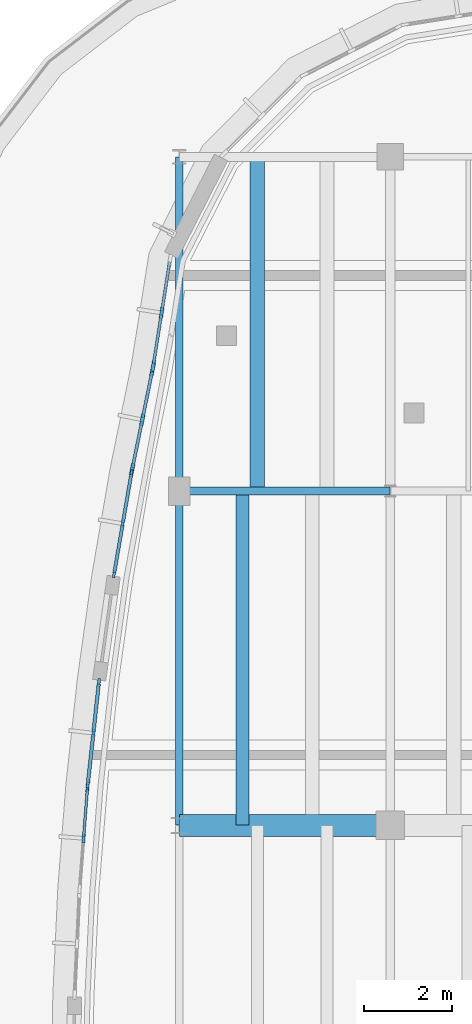
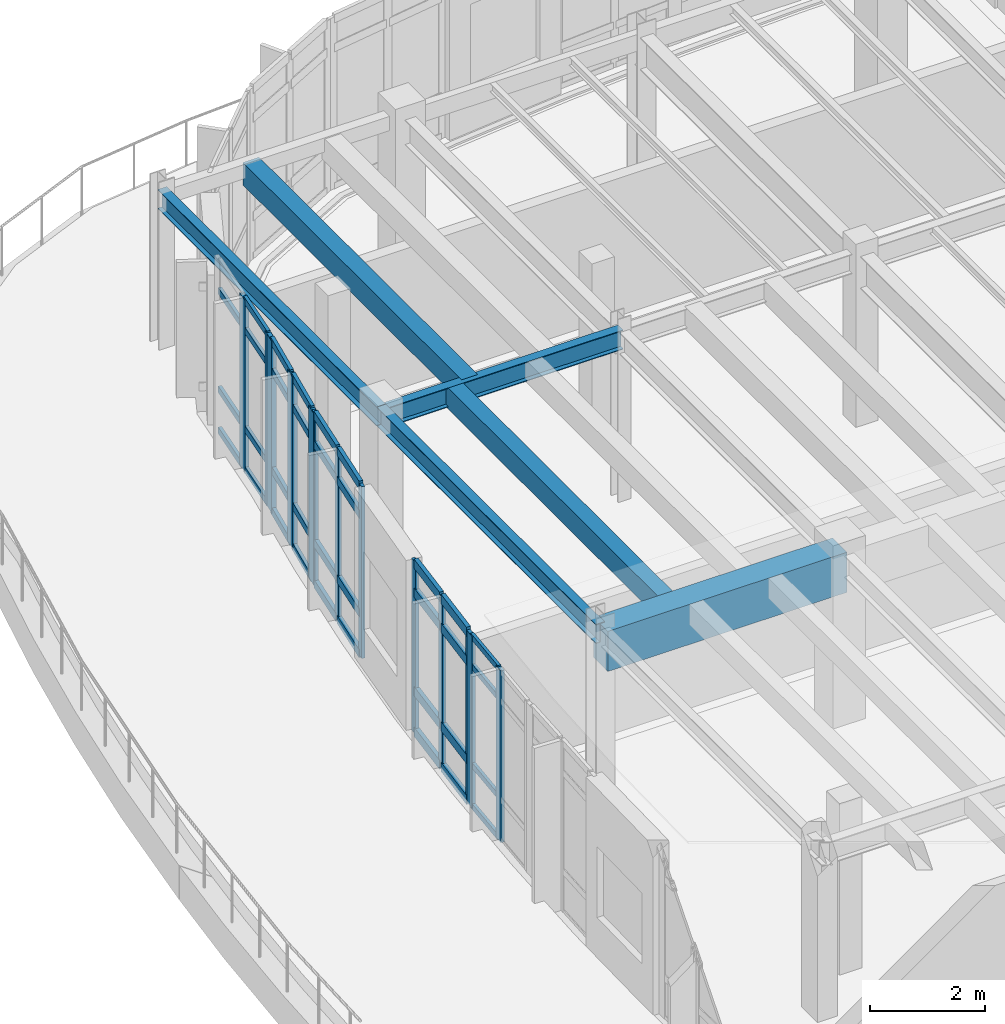
# One storey, part 47 of 111: 48 members, 6 beams, 5 elements without a shape of their own.
"""IFC4 building model written with IfcOpenShell, lengths in metres."""

from ifc_helpers import new_model, si_unit, direction, frame, origin, origin_2d, place, context, subcontext, project, spatial, rectangle, i_section, extrude, material, material_profile, profile_set, type_object, element, aggregate, save


model = new_model("IFC4")

# Units and contexts
model_context = context("Model", 3, precision=1e-05, world=origin(), true_north=direction((0.0, 1.0)))
body_context = subcontext(model_context, "Body", "Model", "MODEL_VIEW")
ifc_project = project(units=[si_unit("LENGTHUNIT", "METRE"), si_unit("AREAUNIT", "SQUARE_METRE"), si_unit("VOLUMEUNIT", "CUBIC_METRE"), si_unit("PLANEANGLEUNIT", "RADIAN"), si_unit("MASSUNIT", "GRAM", prefix="KILO")], contexts=[model_context])

# Site, building, storey
site_placement = place(None, origin())
site = spatial("IfcSite", under=ifc_project, at=site_placement, CompositionType="ELEMENT")
building_placement = place(site_placement, origin())
building = spatial("IfcBuilding", under=site, at=building_placement, Name="Corveleigh Park Community Centre", CompositionType="ELEMENT")
storey_placement = place(building_placement, frame((0.0, 0.0, 4.800048828125)))
storey = spatial("IfcBuildingStorey", under=building, at=storey_placement, Name="L01", CompositionType="ELEMENT", Elevation=4.800048828125)

# Beams
ifc_material_1 = material(Name="Concrete C40/50", Category="concrete")
ifc_material_profile_1 = material_profile(ifc_material_1, rectangle(XDim=0.300048828125, YDim=0.449951171875, at=origin_2d()), Name="RC-300x450", Category="concrete")
ifc_profile_set_1 = profile_set([ifc_material_profile_1], Name="Concrete C40/50")
beam_type_1 = type_object("IfcBeamType", Name="BM-RC-300x450", PredefinedType="JOIST", material=ifc_profile_set_1)
beam_1_placement = place(storey_placement, frame((136.0400390625, 89.0048828125, 3.386962890625), z_axis=(0.0, 1.0, 0.0), x_axis=(-1.0, 0.0, 0.0)))
element("IfcBeam", 1, at=beam_1_placement, inside=storey, type_object=beam_type_1, Name="Secondary floor joist", PredefinedType="JOIST", context=body_context, shape_type="SweptSolid", body=[
    extrude(rectangle(XDim=0.300048828125, YDim=0.449951171875, at=origin_2d()), origin(), (0.0, 0.0, 1.0), 7.590087890625),
])
ifc_material_profile_2 = material_profile(ifc_material_1, rectangle(XDim=0.324951171875, YDim=0.47509765625, at=origin_2d()), Name="RC-325x475", Category="concrete")
ifc_profile_set_2 = profile_set([ifc_material_profile_2], Name="Concrete C40/50")
beam_type_2 = type_object("IfcBeamType", Name="BM-RC-325x475", PredefinedType="JOIST", material=ifc_profile_set_2)
beam_2_placement = place(storey_placement, frame((136.3759765625, 96.60498046875, 3.37451171875), z_axis=(0.0, 1.0, 0.0), x_axis=(-1.0, 0.0, 0.0)))
element("IfcBeam", 2, at=beam_2_placement, inside=storey, type_object=beam_type_2, Name="Secondary floor joist", PredefinedType="JOIST", context=body_context, shape_type="SweptSolid", body=[
    extrude(rectangle(XDim=0.324951171875, YDim=0.47509765625, at=origin_2d()), origin(), (0.0, 0.0, 1.0), 7.590087890625),
])
ifc_material_profile_3 = material_profile(ifc_material_1, rectangle(XDim=0.5, YDim=0.85009765625, at=origin_2d()), Name="RC-500x850", Category="concrete")
ifc_profile_set_3 = profile_set([ifc_material_profile_3], Name="Concrete C40/50")
beam_type_3 = type_object("IfcBeamType", Name="BM-RC-500x850", PredefinedType="BEAM", material=ifc_profile_set_3)
beam_3_placement = place(storey_placement, frame((134.60498046875, 89.0, 3.18701171875), z_axis=(1.0, 0.0, 0.0), x_axis=(0.0, 1.0, 0.0)))
element("IfcBeam", 3, at=beam_3_placement, inside=storey, type_object=beam_type_3, Name="V4 Girder X", PredefinedType="BEAM", context=body_context, shape_type="SweptSolid", body=[
    extrude(rectangle(XDim=0.5, YDim=0.85009765625, at=origin_2d()), origin(), (0.0, 0.0, 1.0), 4.7900390625),
])
ifc_material_2 = material(Name="Steel S355", Category="steel")
ifc_material_profile_4 = material_profile(ifc_material_2, i_section(OverallWidth=0.177978515625, OverallDepth=0.406494140625, WebThickness=0.0078125, FlangeThickness=0.0126953125, at=origin_2d()), Name="UKB 406x178x60", Category="steel")
ifc_profile_set_4 = profile_set([ifc_material_profile_4], Name="Steel S355")
beam_type_4 = type_object("IfcBeamType", Name="BM-STL-UKB406x60", PredefinedType="BEAM", material=ifc_profile_set_4)
beam_4_placement = place(storey_placement, frame((134.60009765625, 89.0048828125, 3.433837890625), z_axis=(0.0, 1.0, 0.0), x_axis=(-1.0, 0.0, 0.0)))
element("IfcBeam", 4, at=beam_4_placement, inside=storey, type_object=beam_type_4, Name="V4 Girder Y", PredefinedType="BEAM", context=body_context, shape_type="SweptSolid", body=[
    extrude(i_section(OverallWidth=0.177978515625, OverallDepth=0.406494140625, WebThickness=0.0078125, FlangeThickness=0.0126953125, at=origin_2d()), origin(), (0.0, 0.0, 1.0), 7.590087890625),
])
ifc_material_profile_5 = material_profile(ifc_material_2, i_section(OverallWidth=0.1787109375, OverallDepth=0.409423828125, WebThickness=0.0087890625, FlangeThickness=0.014404296875, at=origin_2d()), Name="UKB 406x178x67", Category="steel")
ifc_profile_set_5 = profile_set([ifc_material_profile_5], Name="Steel S355")
beam_type_5 = type_object("IfcBeamType", Name="BM-STL-UKB406x67", PredefinedType="BEAM", material=ifc_profile_set_5)
beam_5_placement = place(storey_placement, frame((134.60498046875, 96.60009765625, 3.4072265625), z_axis=(1.0, 0.0, 0.0), x_axis=(0.0, 1.0, 0.0)))
element("IfcBeam", 5, at=beam_5_placement, inside=storey, type_object=beam_type_5, Name="V4 Girder X", PredefinedType="BEAM", context=body_context, shape_type="SweptSolid", body=[
    extrude(i_section(OverallWidth=0.1787109375, OverallDepth=0.409423828125, WebThickness=0.0087890625, FlangeThickness=0.014404296875, at=origin_2d()), origin(), (0.0, 0.0, 1.0), 4.7900390625),
])
beam_6_placement = place(storey_placement, frame((134.60009765625, 96.60498046875, 3.432373046875), z_axis=(0.0, 1.0, 0.0), x_axis=(-1.0, 0.0, 0.0)))
element("IfcBeam", 6, at=beam_6_placement, inside=storey, type_object=beam_type_5, Name="V4 Girder Y", PredefinedType="BEAM", context=body_context, shape_type="SweptSolid", body=[
    extrude(i_section(OverallWidth=0.1787109375, OverallDepth=0.409423828125, WebThickness=0.0087890625, FlangeThickness=0.014404296875, at=origin_2d()), origin(), (0.0, 0.0, 1.0), 7.590087890625),
])

# Curtain wall, members
ifc_material_3 = material(Name="Anodised aluminium 6063-T6", Category="aluminium")
curtain_wall_type = type_object("IfcCurtainWallType", Name="CW-SYS-V4-L01", PredefinedType="NOTDEFINED", material=ifc_material_3)
curtain_wall_1_placement = place(storey_placement, origin())
curtain_wall_1 = element("IfcCurtainWall", 7, at=curtain_wall_1_placement, inside=storey, type_object=curtain_wall_type, Name="V4 L01 Curtain Wall 289", PredefinedType="NOTDEFINED")
ifc_material_profile_6 = material_profile(ifc_material_3, rectangle(XDim=0.06005859375, YDim=0.159912109375, at=origin_2d()), Name="ALU-M60x160", Category="aluminium")
ifc_profile_set_6 = profile_set([ifc_material_profile_6], Name="Anodised aluminium 6063-T6")
member_type_1 = type_object("IfcMemberType", Name="CWM-60x160", PredefinedType="MULLION", material=ifc_profile_set_6)
member_1_placement = place(storey_placement, frame((133.1181640625, 94.713623046875, 0.0), z_axis=(0.0, 0.0, 1.0), x_axis=(-0.985554357724, 0.16935940473, 0.0)))
member_1 = element("IfcMember", 8, at=member_1_placement, type_object=member_type_1, Name="CW08 mullion 1", PredefinedType="MULLION", context=body_context, shape_type="SweptSolid", body=[
    extrude(rectangle(XDim=0.06005859375, YDim=0.159912109375, at=origin_2d()), origin(), (0.0, 0.0, 1.0), 3.636962890625),
])
member_2_placement = place(storey_placement, frame((133.31494140625, 95.859619140625, 0.0), z_axis=(0.0, 0.0, 1.0), x_axis=(-0.985554357724, 0.16935940473, 0.0)))
member_2 = element("IfcMember", 9, at=member_2_placement, type_object=member_type_1, Name="CW08 mullion 2", PredefinedType="MULLION", context=body_context, shape_type="SweptSolid", body=[
    extrude(rectangle(XDim=0.06005859375, YDim=0.159912109375, at=origin_2d()), origin(), (0.0, 0.0, 1.0), 3.636962890625),
])
member_3_placement = place(storey_placement, frame((133.511962890625, 97.00537109375, 0.0), z_axis=(0.0, 0.0, 1.0), x_axis=(-0.985554357724, 0.16935940473, 0.0)))
member_3 = element("IfcMember", 10, at=member_3_placement, type_object=member_type_1, Name="CW08 mullion 3", PredefinedType="MULLION", context=body_context, shape_type="SweptSolid", body=[
    extrude(rectangle(XDim=0.06005859375, YDim=0.159912109375, at=origin_2d()), origin(), (0.0, 0.0, 1.0), 3.636962890625),
])

curtain_wall_2_placement = place(storey_placement, origin())
curtain_wall_2 = element("IfcCurtainWall", 11, at=curtain_wall_2_placement, inside=storey, type_object=curtain_wall_type, Name="V4 L01 Curtain Wall 290", PredefinedType="NOTDEFINED")
ifc_material_profile_7 = material_profile(ifc_material_3, rectangle(XDim=0.06494140625, YDim=0.179931640625, at=origin_2d()), Name="ALU-M65x180", Category="aluminium")
ifc_profile_set_7 = profile_set([ifc_material_profile_7], Name="Anodised aluminium 6063-T6")
member_type_2 = type_object("IfcMemberType", Name="CWM-65x180", PredefinedType="MULLION", material=ifc_profile_set_7)
member_4_placement = place(storey_placement, frame((132.521484375, 89.9443359375, 0.0), z_axis=(0.0, 0.0, 1.0), x_axis=(-0.994136630225, 0.108131218641, 0.0)))
member_4 = element("IfcMember", 12, at=member_4_placement, type_object=member_type_2, Name="CW08 mullion 1", PredefinedType="MULLION", context=body_context, shape_type="SweptSolid", body=[
    extrude(rectangle(XDim=0.06494140625, YDim=0.179931640625, at=origin_2d()), origin(), (0.0, 0.0, 1.0), 3.636962890625),
])
member_5_placement = place(storey_placement, frame((132.64697265625, 91.097900390625, 0.0), z_axis=(0.0, 0.0, 1.0), x_axis=(-0.994136630225, 0.108131218641, 0.0)))
member_5 = element("IfcMember", 13, at=member_5_placement, type_object=member_type_2, Name="CW08 mullion 2", PredefinedType="MULLION", context=body_context, shape_type="SweptSolid", body=[
    extrude(rectangle(XDim=0.06494140625, YDim=0.179931640625, at=origin_2d()), origin(), (0.0, 0.0, 1.0), 3.636962890625),
])
member_6_placement = place(storey_placement, frame((132.7724609375, 92.251708984375, 0.0), z_axis=(0.0, 0.0, 1.0), x_axis=(-0.994136630225, 0.108131218641, 0.0)))
member_6 = element("IfcMember", 14, at=member_6_placement, type_object=member_type_2, Name="CW08 mullion 3", PredefinedType="MULLION", context=body_context, shape_type="SweptSolid", body=[
    extrude(rectangle(XDim=0.06494140625, YDim=0.179931640625, at=origin_2d()), origin(), (0.0, 0.0, 1.0), 3.636962890625),
])

curtain_wall_3_placement = place(storey_placement, origin())
curtain_wall_3 = element("IfcCurtainWall", 15, at=curtain_wall_3_placement, inside=storey, type_object=curtain_wall_type, Name="V4 L01 Curtain Wall 291", PredefinedType="NOTDEFINED")
ifc_material_profile_8 = material_profile(ifc_material_3, rectangle(XDim=0.070068359375, YDim=0.199951171875, at=origin_2d()), Name="ALU-M70x200", Category="aluminium")
ifc_profile_set_8 = profile_set([ifc_material_profile_8], Name="Anodised aluminium 6063-T6")
member_type_3 = type_object("IfcMemberType", Name="CWM-70x200", PredefinedType="MULLION", material=ifc_profile_set_8)
member_7_placement = place(storey_placement, frame((132.424072265625, 88.70458984375, 0.0), z_axis=(0.0, 0.0, 1.0), x_axis=(-0.997022350164, 0.077113119982, 0.0)))
member_7 = element("IfcMember", 16, at=member_7_placement, type_object=member_type_3, Name="CW08 mullion 2", PredefinedType="MULLION", context=body_context, shape_type="SweptSolid", body=[
    extrude(rectangle(XDim=0.070068359375, YDim=0.199951171875, at=origin_2d()), origin(), (0.0, 0.0, 1.0), 3.636962890625),
])
member_8_placement = place(storey_placement, frame((132.51318359375, 89.859130859375, 0.0), z_axis=(0.0, 0.0, 1.0), x_axis=(-0.997022350164, 0.077113119982, 0.0)))
member_8 = element("IfcMember", 17, at=member_8_placement, type_object=member_type_3, Name="CW08 mullion 3", PredefinedType="MULLION", context=body_context, shape_type="SweptSolid", body=[
    extrude(rectangle(XDim=0.070068359375, YDim=0.199951171875, at=origin_2d()), origin(), (0.0, 0.0, 1.0), 3.636962890625),
])

curtain_wall_4_placement = place(storey_placement, origin())
curtain_wall_4 = element("IfcCurtainWall", 18, at=curtain_wall_4_placement, inside=storey, type_object=curtain_wall_type, Name="V4 L01 Curtain Wall 287", PredefinedType="NOTDEFINED")
ifc_material_profile_9 = material_profile(ifc_material_3, rectangle(XDim=0.080078125, YDim=0.25, at=origin_2d()), Name="ALU-M80x250", Category="aluminium")
ifc_profile_set_9 = profile_set([ifc_material_profile_9], Name="Anodised aluminium 6063-T6")
member_type_4 = type_object("IfcMemberType", Name="CWM-80x250", PredefinedType="MULLION", material=ifc_profile_set_9)
member_9_placement = place(storey_placement, frame((134.00830078125, 99.449462890625, 0.0), z_axis=(0.0, 0.0, 1.0), x_axis=(-0.987733954743, 0.15614619639, 0.0)))
member_9 = element("IfcMember", 19, at=member_9_placement, type_object=member_type_4, Name="CW08 mullion 1", PredefinedType="MULLION", context=body_context, shape_type="SweptSolid", body=[
    extrude(rectangle(XDim=0.080078125, YDim=0.25, at=origin_2d()), origin(), (0.0, 0.0, 1.0), 3.636962890625),
])
member_10_placement = place(storey_placement, frame((134.198486328125, 100.653076171875, 0.0), z_axis=(0.0, 0.0, 1.0), x_axis=(-0.987733954743, 0.15614619639, 0.0)))
member_10 = element("IfcMember", 20, at=member_10_placement, type_object=member_type_4, Name="CW08 mullion 2", PredefinedType="MULLION", context=body_context, shape_type="SweptSolid", body=[
    extrude(rectangle(XDim=0.080078125, YDim=0.25, at=origin_2d()), origin(), (0.0, 0.0, 1.0), 3.636962890625),
])

curtain_wall_5_placement = place(storey_placement, origin())
curtain_wall_5 = element("IfcCurtainWall", 21, at=curtain_wall_5_placement, inside=storey, type_object=curtain_wall_type, Name="V4 L01 Curtain Wall 288", PredefinedType="NOTDEFINED")
ifc_material_profile_10 = material_profile(ifc_material_3, rectangle(XDim=0.0849609375, YDim=0.27490234375, at=origin_2d()), Name="ALU-M85x275", Category="aluminium")
ifc_profile_set_10 = profile_set([ifc_material_profile_10], Name="Anodised aluminium 6063-T6")
member_type_5 = type_object("IfcMemberType", Name="CWM-85x275", PredefinedType="MULLION", material=ifc_profile_set_10)
member_11_placement = place(storey_placement, frame((133.529541015625, 97.0947265625, 0.0), z_axis=(0.0, 0.0, 1.0), x_axis=(-0.979799029422, 0.19998465427, 0.0)))
member_11 = element("IfcMember", 22, at=member_11_placement, type_object=member_type_5, Name="CW08 mullion 1", PredefinedType="MULLION", context=body_context, shape_type="SweptSolid", body=[
    extrude(rectangle(XDim=0.0849609375, YDim=0.27490234375, at=origin_2d()), origin(), (0.0, 0.0, 1.0), 3.636962890625),
])
member_12_placement = place(storey_placement, frame((133.759521484375, 98.221435546875, 0.0), z_axis=(0.0, 0.0, 1.0), x_axis=(-0.979799029422, 0.19998465427, 0.0)))
member_12 = element("IfcMember", 23, at=member_12_placement, type_object=member_type_5, Name="CW08 mullion 2", PredefinedType="MULLION", context=body_context, shape_type="SweptSolid", body=[
    extrude(rectangle(XDim=0.0849609375, YDim=0.27490234375, at=origin_2d()), origin(), (0.0, 0.0, 1.0), 3.636962890625),
])
member_13_placement = place(storey_placement, frame((133.989501953125, 99.348388671875, 0.0), z_axis=(0.0, 0.0, 1.0), x_axis=(-0.979799029422, 0.19998465427, 0.0)))
member_13 = element("IfcMember", 24, at=member_13_placement, type_object=member_type_5, Name="CW08 mullion 3", PredefinedType="MULLION", context=body_context, shape_type="SweptSolid", body=[
    extrude(rectangle(XDim=0.0849609375, YDim=0.27490234375, at=origin_2d()), origin(), (0.0, 0.0, 1.0), 3.636962890625),
])

# Member
ifc_material_profile_11 = material_profile(ifc_material_3, rectangle(XDim=0.06005859375, YDim=0.1201171875, at=origin_2d()), Name="ALU-T60x120", Category="aluminium")
ifc_profile_set_11 = profile_set([ifc_material_profile_11], Name="Anodised aluminium 6063-T6")
member_type_6 = type_object("IfcMemberType", Name="CWT-60x120", PredefinedType="USERDEFINED", material=ifc_profile_set_11)
member_14_placement = place(storey_placement, frame((132.4267578125, 88.739501953125, 0.030029296875), z_axis=(0.076971062621, 0.997033327186, 0.0), x_axis=(-0.997033327186, 0.076971062621, 0.0)))
member_14 = element("IfcMember", 25, at=member_14_placement, type_object=member_type_6, Name="CW08 transom 2.1", ObjectType="TRANSOM", PredefinedType="USERDEFINED", context=body_context, shape_type="SweptSolid", body=[
    extrude(rectangle(XDim=0.06005859375, YDim=0.1201171875, at=origin_2d()), origin(), (0.0, 0.0, 1.0), 1.087890625),
])

member_15_placement = place(storey_placement, frame((132.4267578125, 88.739501953125, 0.89990234375), z_axis=(0.076971062621, 0.997033327186, 0.0), x_axis=(-0.997033327186, 0.076971062621, 0.0)))
member_15 = element("IfcMember", 26, at=member_15_placement, type_object=member_type_6, Name="CW08 transom 2.2", ObjectType="TRANSOM", PredefinedType="USERDEFINED", context=body_context, shape_type="SweptSolid", body=[
    extrude(rectangle(XDim=0.06005859375, YDim=0.1201171875, at=origin_2d()), origin(), (0.0, 0.0, 1.0), 1.087890625),
])

member_16_placement = place(storey_placement, frame((132.4267578125, 88.739501953125, 2.987060546875), z_axis=(0.076971062621, 0.997033327186, 0.0), x_axis=(-0.997033327186, 0.076971062621, 0.0)))
member_16 = element("IfcMember", 27, at=member_16_placement, type_object=member_type_6, Name="CW08 transom 2.3", ObjectType="TRANSOM", PredefinedType="USERDEFINED", context=body_context, shape_type="SweptSolid", body=[
    extrude(rectangle(XDim=0.06005859375, YDim=0.1201171875, at=origin_2d()), origin(), (0.0, 0.0, 1.0), 1.087890625),
])

member_17_placement = place(storey_placement, frame((132.4267578125, 88.739501953125, 3.60693359375), z_axis=(0.076971062621, 0.997033327186, 0.0), x_axis=(-0.997033327186, 0.076971062621, 0.0)))
member_17 = element("IfcMember", 28, at=member_17_placement, type_object=member_type_6, Name="CW08 transom 2.4", ObjectType="TRANSOM", PredefinedType="USERDEFINED", context=body_context, shape_type="SweptSolid", body=[
    extrude(rectangle(XDim=0.06005859375, YDim=0.1201171875, at=origin_2d()), origin(), (0.0, 0.0, 1.0), 1.087890625),
])

aggregate(curtain_wall_3, [member_7, member_8, member_14, member_15, member_16, member_17])

ifc_material_profile_12 = material_profile(ifc_material_3, rectangle(XDim=0.06494140625, YDim=0.139892578125, at=origin_2d()), Name="ALU-T65x140", Category="aluminium")
ifc_profile_set_12 = profile_set([ifc_material_profile_12], Name="Anodised aluminium 6063-T6")
member_type_7 = type_object("IfcMemberType", Name="CWT-65x140", PredefinedType="USERDEFINED", material=ifc_profile_set_12)
member_18_placement = place(storey_placement, frame((134.014404296875, 99.489013671875, 0.032470703125), z_axis=(0.156116740912, 0.987738610771, 0.0), x_axis=(-0.987738610771, 0.156116740912, 0.0)))
member_18 = element("IfcMember", 29, at=member_18_placement, type_object=member_type_7, Name="CW08 transom 1.1", ObjectType="TRANSOM", PredefinedType="USERDEFINED", context=body_context, shape_type="SweptSolid", body=[
    extrude(rectangle(XDim=0.06494140625, YDim=0.139892578125, at=origin_2d()), origin(), (0.0, 0.0, 1.0), 1.138427734375),
])

member_19_placement = place(storey_placement, frame((134.014404296875, 99.489013671875, 0.89990234375), z_axis=(0.156116740912, 0.987738610771, 0.0), x_axis=(-0.987738610771, 0.156116740912, 0.0)))
member_19 = element("IfcMember", 30, at=member_19_placement, type_object=member_type_7, Name="CW08 transom 1.2", ObjectType="TRANSOM", PredefinedType="USERDEFINED", context=body_context, shape_type="SweptSolid", body=[
    extrude(rectangle(XDim=0.06494140625, YDim=0.139892578125, at=origin_2d()), origin(), (0.0, 0.0, 1.0), 1.138427734375),
])

member_20_placement = place(storey_placement, frame((134.014404296875, 99.489013671875, 2.987060546875), z_axis=(0.156116740912, 0.987738610771, 0.0), x_axis=(-0.987738610771, 0.156116740912, 0.0)))
member_20 = element("IfcMember", 31, at=member_20_placement, type_object=member_type_7, Name="CW08 transom 1.3", ObjectType="TRANSOM", PredefinedType="USERDEFINED", context=body_context, shape_type="SweptSolid", body=[
    extrude(rectangle(XDim=0.06494140625, YDim=0.139892578125, at=origin_2d()), origin(), (0.0, 0.0, 1.0), 1.138427734375),
])

member_21_placement = place(storey_placement, frame((134.014404296875, 99.489013671875, 3.6044921875), z_axis=(0.156116740912, 0.987738610771, 0.0), x_axis=(-0.987738610771, 0.156116740912, 0.0)))
member_21 = element("IfcMember", 32, at=member_21_placement, type_object=member_type_7, Name="CW08 transom 1.4", ObjectType="TRANSOM", PredefinedType="USERDEFINED", context=body_context, shape_type="SweptSolid", body=[
    extrude(rectangle(XDim=0.06494140625, YDim=0.139892578125, at=origin_2d()), origin(), (0.0, 0.0, 1.0), 1.138427734375),
])

member_22_placement = place(storey_placement, frame((134.204833984375, 100.692626953125, 0.032470703125), z_axis=(0.156149815958, 0.987733382536, 0.0), x_axis=(-0.987733382536, 0.156149815958, 0.0)))
member_22 = element("IfcMember", 33, at=member_22_placement, type_object=member_type_7, Name="CW08 transom 2.1", ObjectType="TRANSOM", PredefinedType="USERDEFINED", context=body_context, shape_type="SweptSolid", body=[
    extrude(rectangle(XDim=0.06494140625, YDim=0.139892578125, at=origin_2d()), origin(), (0.0, 0.0, 1.0), 1.13818359375),
])

member_23_placement = place(storey_placement, frame((134.204833984375, 100.692626953125, 0.89990234375), z_axis=(0.156149815958, 0.987733382536, 0.0), x_axis=(-0.987733382536, 0.156149815958, 0.0)))
member_23 = element("IfcMember", 34, at=member_23_placement, type_object=member_type_7, Name="CW08 transom 2.2", ObjectType="TRANSOM", PredefinedType="USERDEFINED", context=body_context, shape_type="SweptSolid", body=[
    extrude(rectangle(XDim=0.06494140625, YDim=0.139892578125, at=origin_2d()), origin(), (0.0, 0.0, 1.0), 1.13818359375),
])

member_24_placement = place(storey_placement, frame((134.204833984375, 100.692626953125, 2.987060546875), z_axis=(0.156149815958, 0.987733382536, 0.0), x_axis=(-0.987733382536, 0.156149815958, 0.0)))
member_24 = element("IfcMember", 35, at=member_24_placement, type_object=member_type_7, Name="CW08 transom 2.3", ObjectType="TRANSOM", PredefinedType="USERDEFINED", context=body_context, shape_type="SweptSolid", body=[
    extrude(rectangle(XDim=0.06494140625, YDim=0.139892578125, at=origin_2d()), origin(), (0.0, 0.0, 1.0), 1.13818359375),
])

aggregate(curtain_wall_4, [member_9, member_10, member_18, member_19, member_20, member_21, member_22, member_23, member_24])

ifc_material_profile_13 = material_profile(ifc_material_3, rectangle(XDim=0.070068359375, YDim=0.155029296875, at=origin_2d()), Name="ALU-T70x155", Category="aluminium")
ifc_profile_set_13 = profile_set([ifc_material_profile_13], Name="Anodised aluminium 6063-T6")
member_type_8 = type_object("IfcMemberType", Name="CWT-70x155", PredefinedType="USERDEFINED", material=ifc_profile_set_13)
member_25_placement = place(storey_placement, frame((133.5380859375, 97.13623046875, 0.034912109375), z_axis=(0.199861220039, 0.979824215216, 0.0), x_axis=(-0.979824215216, 0.199861220039, 0.0)))
member_25 = element("IfcMember", 36, at=member_25_placement, type_object=member_type_8, Name="CW08 transom 1.1", ObjectType="TRANSOM", PredefinedType="USERDEFINED", context=body_context, shape_type="SweptSolid", body=[
    extrude(rectangle(XDim=0.070068359375, YDim=0.155029296875, at=origin_2d()), origin(), (0.0, 0.0, 1.0), 1.065185546875),
])

member_26_placement = place(storey_placement, frame((133.5380859375, 97.13623046875, 0.89990234375), z_axis=(0.199861220039, 0.979824215216, 0.0), x_axis=(-0.979824215216, 0.199861220039, 0.0)))
member_26 = element("IfcMember", 37, at=member_26_placement, type_object=member_type_8, Name="CW08 transom 1.2", ObjectType="TRANSOM", PredefinedType="USERDEFINED", context=body_context, shape_type="SweptSolid", body=[
    extrude(rectangle(XDim=0.070068359375, YDim=0.155029296875, at=origin_2d()), origin(), (0.0, 0.0, 1.0), 1.065185546875),
])

member_27_placement = place(storey_placement, frame((133.5380859375, 97.13623046875, 2.987060546875), z_axis=(0.199861220039, 0.979824215216, 0.0), x_axis=(-0.979824215216, 0.199861220039, 0.0)))
member_27 = element("IfcMember", 38, at=member_27_placement, type_object=member_type_8, Name="CW08 transom 1.3", ObjectType="TRANSOM", PredefinedType="USERDEFINED", context=body_context, shape_type="SweptSolid", body=[
    extrude(rectangle(XDim=0.070068359375, YDim=0.155029296875, at=origin_2d()), origin(), (0.0, 0.0, 1.0), 1.065185546875),
])

member_28_placement = place(storey_placement, frame((133.5380859375, 97.13623046875, 3.60205078125), z_axis=(0.199861220039, 0.979824215216, 0.0), x_axis=(-0.979824215216, 0.199861220039, 0.0)))
member_28 = element("IfcMember", 39, at=member_28_placement, type_object=member_type_8, Name="CW08 transom 1.4", ObjectType="TRANSOM", PredefinedType="USERDEFINED", context=body_context, shape_type="SweptSolid", body=[
    extrude(rectangle(XDim=0.070068359375, YDim=0.155029296875, at=origin_2d()), origin(), (0.0, 0.0, 1.0), 1.065185546875),
])

member_29_placement = place(storey_placement, frame((133.76806640625, 98.26318359375, 0.034912109375), z_axis=(0.199906113622, 0.979815056904, 0.0), x_axis=(-0.979815056904, 0.199906113622, 0.0)))
member_29 = element("IfcMember", 40, at=member_29_placement, type_object=member_type_8, Name="CW08 transom 2.1", ObjectType="TRANSOM", PredefinedType="USERDEFINED", context=body_context, shape_type="SweptSolid", body=[
    extrude(rectangle(XDim=0.070068359375, YDim=0.155029296875, at=origin_2d()), origin(), (0.0, 0.0, 1.0), 1.06494140625),
])

member_30_placement = place(storey_placement, frame((133.76806640625, 98.26318359375, 0.89990234375), z_axis=(0.199906113622, 0.979815056904, 0.0), x_axis=(-0.979815056904, 0.199906113622, 0.0)))
member_30 = element("IfcMember", 41, at=member_30_placement, type_object=member_type_8, Name="CW08 transom 2.2", ObjectType="TRANSOM", PredefinedType="USERDEFINED", context=body_context, shape_type="SweptSolid", body=[
    extrude(rectangle(XDim=0.070068359375, YDim=0.155029296875, at=origin_2d()), origin(), (0.0, 0.0, 1.0), 1.06494140625),
])

member_31_placement = place(storey_placement, frame((133.76806640625, 98.26318359375, 2.987060546875), z_axis=(0.199906113622, 0.979815056904, 0.0), x_axis=(-0.979815056904, 0.199906113622, 0.0)))
member_31 = element("IfcMember", 42, at=member_31_placement, type_object=member_type_8, Name="CW08 transom 2.3", ObjectType="TRANSOM", PredefinedType="USERDEFINED", context=body_context, shape_type="SweptSolid", body=[
    extrude(rectangle(XDim=0.070068359375, YDim=0.155029296875, at=origin_2d()), origin(), (0.0, 0.0, 1.0), 1.06494140625),
])

member_32_placement = place(storey_placement, frame((133.76806640625, 98.26318359375, 3.60205078125), z_axis=(0.199906113622, 0.979815056904, 0.0), x_axis=(-0.979815056904, 0.199906113622, 0.0)))
member_32 = element("IfcMember", 43, at=member_32_placement, type_object=member_type_8, Name="CW08 transom 2.4", ObjectType="TRANSOM", PredefinedType="USERDEFINED", context=body_context, shape_type="SweptSolid", body=[
    extrude(rectangle(XDim=0.070068359375, YDim=0.155029296875, at=origin_2d()), origin(), (0.0, 0.0, 1.0), 1.06494140625),
])

aggregate(curtain_wall_5, [member_11, member_12, member_13, member_25, member_26, member_27, member_28, member_29, member_30, member_31, member_32])

ifc_material_profile_14 = material_profile(ifc_material_3, rectangle(XDim=0.074951171875, YDim=0.175048828125, at=origin_2d()), Name="ALU-T75x175", Category="aluminium")
ifc_profile_set_14 = profile_set([ifc_material_profile_14], Name="Anodised aluminium 6063-T6")
member_type_9 = type_object("IfcMemberType", Name="CWT-75x175", PredefinedType="USERDEFINED", material=ifc_profile_set_14)
member_33_placement = place(storey_placement, frame((133.123046875, 94.7431640625, 0.037353515625), z_axis=(0.16938785515, 0.985549468331, 0.0), x_axis=(-0.985549468331, 0.16938785515, 0.0)))
member_33 = element("IfcMember", 44, at=member_33_placement, type_object=member_type_9, Name="CW08 transom 1.1", ObjectType="TRANSOM", PredefinedType="USERDEFINED", context=body_context, shape_type="SweptSolid", body=[
    extrude(rectangle(XDim=0.074951171875, YDim=0.175048828125, at=origin_2d()), origin(), (0.0, 0.0, 1.0), 1.1025390625),
])

member_34_placement = place(storey_placement, frame((133.123046875, 94.7431640625, 0.89990234375), z_axis=(0.16938785515, 0.985549468331, 0.0), x_axis=(-0.985549468331, 0.16938785515, 0.0)))
member_34 = element("IfcMember", 45, at=member_34_placement, type_object=member_type_9, Name="CW08 transom 1.2", ObjectType="TRANSOM", PredefinedType="USERDEFINED", context=body_context, shape_type="SweptSolid", body=[
    extrude(rectangle(XDim=0.074951171875, YDim=0.175048828125, at=origin_2d()), origin(), (0.0, 0.0, 1.0), 1.1025390625),
])

member_35_placement = place(storey_placement, frame((133.123046875, 94.7431640625, 2.987060546875), z_axis=(0.16938785515, 0.985549468331, 0.0), x_axis=(-0.985549468331, 0.16938785515, 0.0)))
member_35 = element("IfcMember", 46, at=member_35_placement, type_object=member_type_9, Name="CW08 transom 1.3", ObjectType="TRANSOM", PredefinedType="USERDEFINED", context=body_context, shape_type="SweptSolid", body=[
    extrude(rectangle(XDim=0.074951171875, YDim=0.175048828125, at=origin_2d()), origin(), (0.0, 0.0, 1.0), 1.1025390625),
])

member_36_placement = place(storey_placement, frame((133.123046875, 94.7431640625, 3.599365234375), z_axis=(0.16938785515, 0.985549468331, 0.0), x_axis=(-0.985549468331, 0.16938785515, 0.0)))
member_36 = element("IfcMember", 47, at=member_36_placement, type_object=member_type_9, Name="CW08 transom 1.4", ObjectType="TRANSOM", PredefinedType="USERDEFINED", context=body_context, shape_type="SweptSolid", body=[
    extrude(rectangle(XDim=0.074951171875, YDim=0.175048828125, at=origin_2d()), origin(), (0.0, 0.0, 1.0), 1.1025390625),
])

member_37_placement = place(storey_placement, frame((133.320068359375, 95.88916015625, 0.037353515625), z_axis=(0.16938785515, 0.985549468331, 0.0), x_axis=(-0.985549468331, 0.16938785515, 0.0)))
member_37 = element("IfcMember", 48, at=member_37_placement, type_object=member_type_9, Name="CW08 transom 2.1", ObjectType="TRANSOM", PredefinedType="USERDEFINED", context=body_context, shape_type="SweptSolid", body=[
    extrude(rectangle(XDim=0.074951171875, YDim=0.175048828125, at=origin_2d()), origin(), (0.0, 0.0, 1.0), 1.1025390625),
])

member_38_placement = place(storey_placement, frame((133.320068359375, 95.88916015625, 0.89990234375), z_axis=(0.16938785515, 0.985549468331, 0.0), x_axis=(-0.985549468331, 0.16938785515, 0.0)))
member_38 = element("IfcMember", 49, at=member_38_placement, type_object=member_type_9, Name="CW08 transom 2.2", ObjectType="TRANSOM", PredefinedType="USERDEFINED", context=body_context, shape_type="SweptSolid", body=[
    extrude(rectangle(XDim=0.074951171875, YDim=0.175048828125, at=origin_2d()), origin(), (0.0, 0.0, 1.0), 1.1025390625),
])

member_39_placement = place(storey_placement, frame((133.320068359375, 95.88916015625, 2.987060546875), z_axis=(0.16938785515, 0.985549468331, 0.0), x_axis=(-0.985549468331, 0.16938785515, 0.0)))
member_39 = element("IfcMember", 50, at=member_39_placement, type_object=member_type_9, Name="CW08 transom 2.3", ObjectType="TRANSOM", PredefinedType="USERDEFINED", context=body_context, shape_type="SweptSolid", body=[
    extrude(rectangle(XDim=0.074951171875, YDim=0.175048828125, at=origin_2d()), origin(), (0.0, 0.0, 1.0), 1.1025390625),
])

member_40_placement = place(storey_placement, frame((133.320068359375, 95.88916015625, 3.599365234375), z_axis=(0.16938785515, 0.985549468331, 0.0), x_axis=(-0.985549468331, 0.16938785515, 0.0)))
member_40 = element("IfcMember", 51, at=member_40_placement, type_object=member_type_9, Name="CW08 transom 2.4", ObjectType="TRANSOM", PredefinedType="USERDEFINED", context=body_context, shape_type="SweptSolid", body=[
    extrude(rectangle(XDim=0.074951171875, YDim=0.175048828125, at=origin_2d()), origin(), (0.0, 0.0, 1.0), 1.1025390625),
])

aggregate(curtain_wall_1, [member_1, member_2, member_3, member_33, member_34, member_35, member_36, member_37, member_38, member_39, member_40])

ifc_material_profile_15 = material_profile(ifc_material_3, rectangle(XDim=0.080078125, YDim=0.195068359375, at=origin_2d()), Name="ALU-T80x195", Category="aluminium")
ifc_profile_set_15 = profile_set([ifc_material_profile_15], Name="Anodised aluminium 6063-T6")
member_type_10 = type_object("IfcMemberType", Name="CWT-80x195", PredefinedType="USERDEFINED", material=ifc_profile_set_15)
member_41_placement = place(storey_placement, frame((132.525146484375, 89.9765625, 0.0400390625), z_axis=(0.108083120911, 0.994141860588, 0.0), x_axis=(-0.994141860588, 0.108083120911, 0.0)))
member_41 = element("IfcMember", 52, at=member_41_placement, type_object=member_type_10, Name="CW08 transom 1.1", ObjectType="TRANSOM", PredefinedType="USERDEFINED", context=body_context, shape_type="SweptSolid", body=[
    extrude(rectangle(XDim=0.080078125, YDim=0.195068359375, at=origin_2d()), origin(), (0.0, 0.0, 1.0), 1.095458984375),
])

member_42_placement = place(storey_placement, frame((132.525146484375, 89.9765625, 0.89990234375), z_axis=(0.108083120911, 0.994141860588, 0.0), x_axis=(-0.994141860588, 0.108083120911, 0.0)))
member_42 = element("IfcMember", 53, at=member_42_placement, type_object=member_type_10, Name="CW08 transom 1.2", ObjectType="TRANSOM", PredefinedType="USERDEFINED", context=body_context, shape_type="SweptSolid", body=[
    extrude(rectangle(XDim=0.080078125, YDim=0.195068359375, at=origin_2d()), origin(), (0.0, 0.0, 1.0), 1.095458984375),
])

member_43_placement = place(storey_placement, frame((132.525146484375, 89.9765625, 2.987060546875), z_axis=(0.108083120911, 0.994141860588, 0.0), x_axis=(-0.994141860588, 0.108083120911, 0.0)))
member_43 = element("IfcMember", 54, at=member_43_placement, type_object=member_type_10, Name="CW08 transom 1.3", ObjectType="TRANSOM", PredefinedType="USERDEFINED", context=body_context, shape_type="SweptSolid", body=[
    extrude(rectangle(XDim=0.080078125, YDim=0.195068359375, at=origin_2d()), origin(), (0.0, 0.0, 1.0), 1.095458984375),
])

member_44_placement = place(storey_placement, frame((132.525146484375, 89.9765625, 3.596923828125), z_axis=(0.108083120911, 0.994141860588, 0.0), x_axis=(-0.994141860588, 0.108083120911, 0.0)))
member_44 = element("IfcMember", 55, at=member_44_placement, type_object=member_type_10, Name="CW08 transom 1.4", ObjectType="TRANSOM", PredefinedType="USERDEFINED", context=body_context, shape_type="SweptSolid", body=[
    extrude(rectangle(XDim=0.080078125, YDim=0.195068359375, at=origin_2d()), origin(), (0.0, 0.0, 1.0), 1.095458984375),
])

member_45_placement = place(storey_placement, frame((132.650634765625, 91.13037109375, 0.0400390625), z_axis=(0.108083120911, 0.994141860588, 0.0), x_axis=(-0.994141860588, 0.108083120911, 0.0)))
member_45 = element("IfcMember", 56, at=member_45_placement, type_object=member_type_10, Name="CW08 transom 2.1", ObjectType="TRANSOM", PredefinedType="USERDEFINED", context=body_context, shape_type="SweptSolid", body=[
    extrude(rectangle(XDim=0.080078125, YDim=0.195068359375, at=origin_2d()), origin(), (0.0, 0.0, 1.0), 1.095458984375),
])

member_46_placement = place(storey_placement, frame((132.650634765625, 91.13037109375, 0.89990234375), z_axis=(0.108083120911, 0.994141860588, 0.0), x_axis=(-0.994141860588, 0.108083120911, 0.0)))
member_46 = element("IfcMember", 57, at=member_46_placement, type_object=member_type_10, Name="CW08 transom 2.2", ObjectType="TRANSOM", PredefinedType="USERDEFINED", context=body_context, shape_type="SweptSolid", body=[
    extrude(rectangle(XDim=0.080078125, YDim=0.195068359375, at=origin_2d()), origin(), (0.0, 0.0, 1.0), 1.095458984375),
])

member_47_placement = place(storey_placement, frame((132.650634765625, 91.13037109375, 2.987060546875), z_axis=(0.108083120911, 0.994141860588, 0.0), x_axis=(-0.994141860588, 0.108083120911, 0.0)))
member_47 = element("IfcMember", 58, at=member_47_placement, type_object=member_type_10, Name="CW08 transom 2.3", ObjectType="TRANSOM", PredefinedType="USERDEFINED", context=body_context, shape_type="SweptSolid", body=[
    extrude(rectangle(XDim=0.080078125, YDim=0.195068359375, at=origin_2d()), origin(), (0.0, 0.0, 1.0), 1.095458984375),
])

member_48_placement = place(storey_placement, frame((132.650634765625, 91.13037109375, 3.596923828125), z_axis=(0.108083120911, 0.994141860588, 0.0), x_axis=(-0.994141860588, 0.108083120911, 0.0)))
member_48 = element("IfcMember", 59, at=member_48_placement, type_object=member_type_10, Name="CW08 transom 2.4", ObjectType="TRANSOM", PredefinedType="USERDEFINED", context=body_context, shape_type="SweptSolid", body=[
    extrude(rectangle(XDim=0.080078125, YDim=0.195068359375, at=origin_2d()), origin(), (0.0, 0.0, 1.0), 1.095458984375),
])

aggregate(curtain_wall_2, [member_4, member_5, member_6, member_41, member_42, member_43, member_44, member_45, member_46, member_47, member_48])

save(model, "model.ifc")
